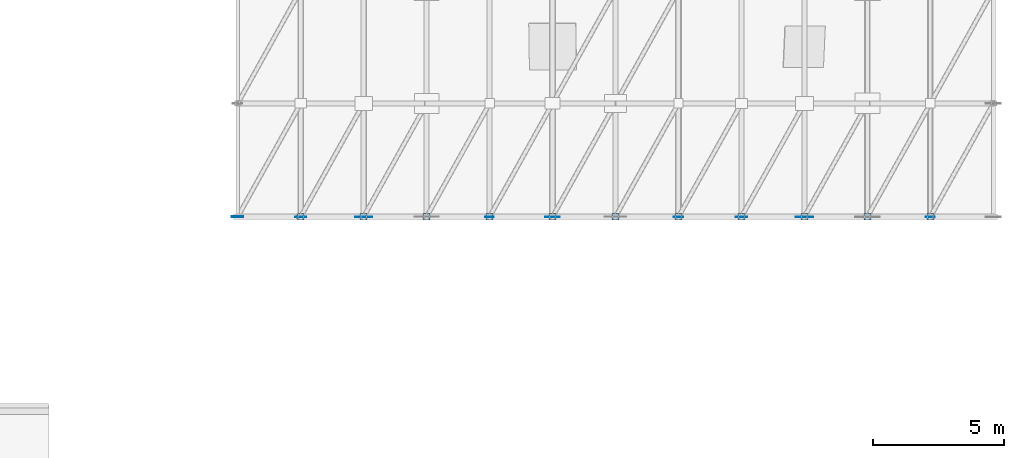
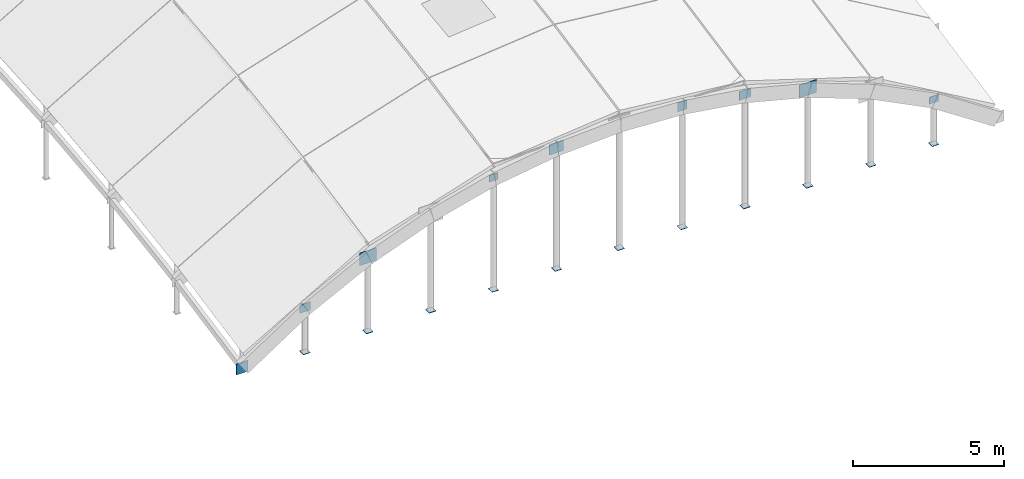
# One storey, part 26 of 35: 20 plates.
"""IFC4 building model written with IfcOpenShell, lengths in metres."""

from ifc_helpers import new_model, si_unit, direction, frame, origin, origin_2d, place, context, subcontext, project, spatial, rectangle, extrude, material, layer, layer_set, type_object, element, save


model = new_model("IFC4")

# Units and contexts
model_context = context("Model", 3, precision=1e-05, world=origin(), true_north=direction((0.0, 1.0)))
body_context = subcontext(model_context, "Body", "Model", "MODEL_VIEW")
ifc_project = project(units=[si_unit("LENGTHUNIT", "METRE"), si_unit("AREAUNIT", "SQUARE_METRE"), si_unit("VOLUMEUNIT", "CUBIC_METRE"), si_unit("PLANEANGLEUNIT", "RADIAN"), si_unit("MASSUNIT", "GRAM", prefix="KILO")], contexts=[model_context])

# Site, building, storey
site_placement = place(None, origin())
site = spatial("IfcSite", under=ifc_project, at=site_placement, CompositionType="ELEMENT")
building_placement = place(site_placement, origin())
building = spatial("IfcBuilding", under=site, at=building_placement, Name="Zarrinpeak Specialist Clinic", CompositionType="ELEMENT")
storey_placement = place(building_placement, frame((0.0, 0.0, 31.60009765625)))
storey = spatial("IfcBuildingStorey", under=building, at=storey_placement, Name="RF", CompositionType="ELEMENT", Elevation=31.60009765625)

# Plates
ifc_material = material(Name="Steel S355", Category="steel")
ifc_layer_1 = layer(ifc_material, 0.01611328125)
ifc_layer_set_1 = layer_set([ifc_layer_1], Name="Steel S355")
plate_type_1 = type_object("IfcPlateType", Name="PL-CAP219", PredefinedType="SHEET", material=ifc_layer_set_1)
for number, where, z_axis, x_axis, name in (
    (1, (96.0, 28.800048828125, -17.813232421875), (0.0, 0.0, 1.0), (1.0, 0.0, 0.0), "V3 Gridshell Post Base Cap Plate PCAP-001"),
    (2, (98.39990234375, 28.800048828125, -17.813232421875), (0.0, 0.0, 1.0), (1.0, 0.0, 0.0), "V3 Gridshell Post Base Cap Plate PCAP-003"),
    (3, (100.800048828125, 28.800048828125, -17.813232421875), (0.0, 0.0, 1.0), (1.0, 0.0, 0.0), "V3 Gridshell Post Base Cap Plate PCAP-005"),
    (4, (103.199951171875, 28.800048828125, -17.813232421875), (0.0, 0.0, 1.0), (1.0, 0.0, 0.0), "V3 Gridshell Post Base Cap Plate PCAP-007"),
    (5, (105.60009765625, 28.800048828125, -17.813232421875), (0.0, 0.0, 1.0), (1.0, 0.0, 0.0), "V3 Gridshell Post Base Cap Plate PCAP-009"),
    (6, (108.0, 28.800048828125, -17.813232421875), (0.0, 0.0, 1.0), (1.0, 0.0, 0.0), "V3 Gridshell Post Base Cap Plate PCAP-011"),
    (7, (110.39990234375, 28.800048828125, -17.813232421875), (0.0, 0.0, 1.0), (1.0, 0.0, 0.0), "V3 Gridshell Post Base Cap Plate PCAP-013"),
    (8, (112.800048828125, 28.800048828125, -17.813232421875), (0.0, 0.0, 1.0), (1.0, 0.0, 0.0), "V3 Gridshell Post Base Cap Plate PCAP-015"),
    (9, (115.199951171875, 28.800048828125, -17.813232421875), (0.0, 0.0, 1.0), (1.0, 0.0, 0.0), "V3 Gridshell Post Base Cap Plate PCAP-017"),
    (10, (117.60009765625, 28.800048828125, -17.813232421875), (0.0, 0.0, 1.0), (1.0, 0.0, 0.0), "V3 Gridshell Post Base Cap Plate PCAP-019"),
    (11, (120.0, 28.800048828125, -17.813232421875), (0.0, 0.0, 1.0), (1.0, 0.0, 0.0), "V3 Gridshell Post Base Cap Plate PCAP-021"),
):
    element("IfcPlate", number, at=place(storey_placement, frame(where, z_axis=z_axis, x_axis=x_axis)), inside=storey, type_object=plate_type_1, Name=name, PredefinedType="SHEET", context=body_context, shape_type="SweptSolid", body=[
        extrude(rectangle(XDim=0.260009765625, YDim=0.260009765625, at=origin_2d()), origin(), (0.0, 0.0, 1.0), 0.01611328125),
    ])
ifc_layer_2 = layer(ifc_material, 0.02392578125)
ifc_layer_set_2 = layer_set([ifc_layer_2], Name="Steel S355")
plate_type_2 = type_object("IfcPlateType", Name="PL-GSN01", PredefinedType="SHEET", material=ifc_layer_set_2)
plate_1_placement = place(storey_placement, frame((93.60009765625, 28.800048828125, -17.820068359375), z_axis=(0.0, 0.0, 1.0), x_axis=(1.0, 0.0, 0.0)))
element("IfcPlate", 12, at=plate_1_placement, inside=storey, type_object=plate_type_2, Name="V3 Gridshell Hub Node Plate GSN-I00-J00", PredefinedType="SHEET", context=body_context, shape_type="SweptSolid", body=[
    extrude(rectangle(XDim=0.43994140625, YDim=0.02392578125, at=origin_2d()), origin(), (0.0, 0.0, 1.0), 0.43994140625),
])
ifc_layer_3 = layer(ifc_material, 0.02001953125)
ifc_layer_set_3 = layer_set([ifc_layer_3], Name="Steel S355")
plate_type_3 = type_object("IfcPlateType", Name="PL-GSN02", PredefinedType="SHEET", material=ifc_layer_set_3)
plate_2_placement = place(storey_placement, frame((110.39990234375, 28.800048828125, -13.1005859375), z_axis=(0.0, 0.0, 1.0), x_axis=(1.0, 0.0, 0.0)))
element("IfcPlate", 13, at=plate_2_placement, inside=storey, type_object=plate_type_3, Name="V3 Gridshell Hub Node Plate GSN-I07-J00", PredefinedType="SHEET", context=body_context, shape_type="SweptSolid", body=[
    extrude(rectangle(XDim=0.360107421875, YDim=0.02001953125, at=origin_2d()), origin(), (0.0, 0.0, 1.0), 0.360107421875),
])
ifc_layer_4 = layer(ifc_material, 0.02001953125)
ifc_layer_set_4 = layer_set([ifc_layer_4], Name="Steel S355")
plate_type_4 = type_object("IfcPlateType", Name="PL-ND03", PredefinedType="SHEET", material=ifc_layer_set_4)
plate_3_placement = place(storey_placement, frame((103.199951171875, 28.800048828125, -13.419921875), z_axis=(0.0, 0.0, 1.0), x_axis=(1.0, 0.0, 0.0)))
element("IfcPlate", 14, at=plate_3_placement, inside=storey, type_object=plate_type_4, Name="V3 Gridshell Hub Node Plate GSN-I04-J00", PredefinedType="SHEET", context=body_context, shape_type="SweptSolid", body=[
    extrude(rectangle(XDim=0.320068359375, YDim=0.02001953125, at=origin_2d()), origin(), (0.0, 0.0, 1.0), 0.27001953125),
])
ifc_layer_5 = layer(ifc_material, 0.02197265625)
ifc_layer_set_5 = layer_set([ifc_layer_5], Name="Steel S355")
plate_type_5 = type_object("IfcPlateType", Name="PL-ND04", PredefinedType="SHEET", material=ifc_layer_set_5)
plate_4_placement = place(storey_placement, frame((120.0, 28.800048828125, -16.1552734375), z_axis=(0.0, 0.0, 1.0), x_axis=(1.0, 0.0, 0.0)))
element("IfcPlate", 15, at=plate_4_placement, inside=storey, type_object=plate_type_5, Name="V3 Gridshell Hub Node Plate GSN-I11-J00", PredefinedType="SHEET", context=body_context, shape_type="SweptSolid", body=[
    extrude(rectangle(XDim=0.340087890625, YDim=0.02197265625, at=origin_2d()), origin(), (0.0, 0.0, 1.0), 0.280029296875),
])
ifc_layer_6 = layer(ifc_material, 0.01806640625)
ifc_layer_set_6 = layer_set([ifc_layer_6], Name="Steel S355")
plate_type_6 = type_object("IfcPlateType", Name="PL-ND08", PredefinedType="SHEET", material=ifc_layer_set_6)
plate_5_placement = place(storey_placement, frame((96.0, 28.800048828125, -16.185546875), z_axis=(0.0, 0.0, 1.0), x_axis=(1.0, 0.0, 0.0)))
element("IfcPlate", 16, at=plate_5_placement, inside=storey, type_object=plate_type_6, Name="V3 Gridshell Hub Node Plate GSN-I01-J00", PredefinedType="SHEET", context=body_context, shape_type="SweptSolid", body=[
    extrude(rectangle(XDim=0.419921875, YDim=0.01806640625, at=origin_2d()), origin(), (0.0, 0.0, 1.0), 0.340087890625),
])
ifc_layer_7 = layer(ifc_material, 0.02001953125)
ifc_layer_set_7 = layer_set([ifc_layer_7], Name="Steel S355")
plate_type_7 = type_object("IfcPlateType", Name="PL-ND09", PredefinedType="SHEET", material=ifc_layer_set_7)
plate_6_placement = place(storey_placement, frame((112.800048828125, 28.800048828125, -13.4599609375), z_axis=(0.0, 0.0, 1.0), x_axis=(1.0, 0.0, 0.0)))
element("IfcPlate", 17, at=plate_6_placement, inside=storey, type_object=plate_type_7, Name="V3 Gridshell Hub Node Plate GSN-I08-J00", PredefinedType="SHEET", context=body_context, shape_type="SweptSolid", body=[
    extrude(rectangle(XDim=0.43994140625, YDim=0.02001953125, at=origin_2d()), origin(), (0.0, 0.0, 1.0), 0.35009765625),
])
ifc_layer_8 = layer(ifc_material, 0.01806640625)
ifc_layer_set_8 = layer_set([ifc_layer_8], Name="Steel S355")
plate_type_8 = type_object("IfcPlateType", Name="PL-ND14", PredefinedType="SHEET", material=ifc_layer_set_8)
plate_7_placement = place(storey_placement, frame((105.60009765625, 28.800048828125, -13.13525390625), z_axis=(0.0, 0.0, 1.0), x_axis=(1.0, 0.0, 0.0)))
element("IfcPlate", 18, at=plate_7_placement, inside=storey, type_object=plate_type_8, Name="V3 Gridshell Hub Node Plate GSN-I05-J00", PredefinedType="SHEET", context=body_context, shape_type="SweptSolid", body=[
    extrude(rectangle(XDim=0.5400390625, YDim=0.01806640625, at=origin_2d()), origin(), (0.0, 0.0, 1.0), 0.429931640625),
])
ifc_layer_9 = layer(ifc_material, 0.01611328125)
ifc_layer_set_9 = layer_set([ifc_layer_9], Name="Steel S355")
plate_type_9 = type_object("IfcPlateType", Name="PL-ND19", PredefinedType="SHEET", material=ifc_layer_set_9)
plate_8_placement = place(storey_placement, frame((98.39990234375, 28.800048828125, -15.05859375), z_axis=(0.0, 0.0, 1.0), x_axis=(1.0, 0.0, 0.0)))
element("IfcPlate", 19, at=plate_8_placement, inside=storey, type_object=plate_type_9, Name="V3 Gridshell Hub Node Plate GSN-I02-J00", PredefinedType="SHEET", context=body_context, shape_type="SweptSolid", body=[
    extrude(rectangle(XDim=0.639892578125, YDim=0.01611328125, at=origin_2d()), origin(), (0.0, 0.0, 1.0), 0.510009765625),
])
ifc_layer_10 = layer(ifc_material, 0.01806640625)
ifc_layer_set_10 = layer_set([ifc_layer_10], Name="Steel S355")
plate_type_10 = type_object("IfcPlateType", Name="PL-ND20", PredefinedType="SHEET", material=ifc_layer_set_10)
plate_9_placement = place(storey_placement, frame((115.199951171875, 28.800048828125, -14.16552734375), z_axis=(0.0, 0.0, 1.0), x_axis=(1.0, 0.0, 0.0)))
element("IfcPlate", 20, at=plate_9_placement, inside=storey, type_object=plate_type_10, Name="V3 Gridshell Hub Node Plate GSN-I09-J00", PredefinedType="SHEET", context=body_context, shape_type="SweptSolid", body=[
    extrude(rectangle(XDim=0.659912109375, YDim=0.01806640625, at=origin_2d()), origin(), (0.0, 0.0, 1.0), 0.52001953125),
])

save(model, "model.ifc")
